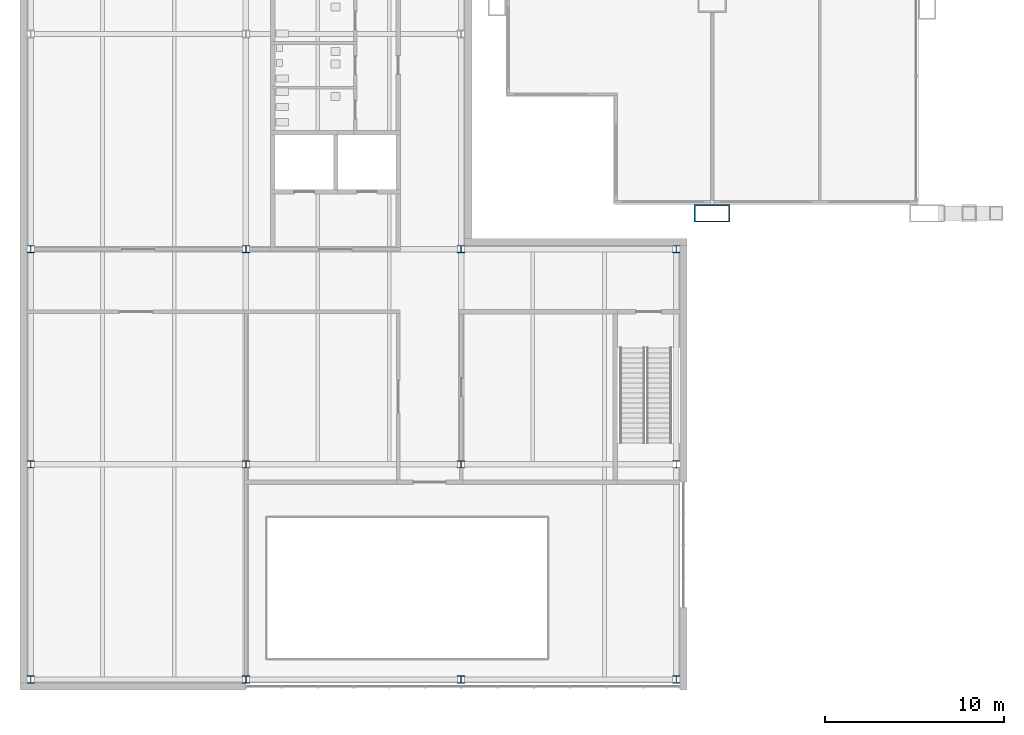
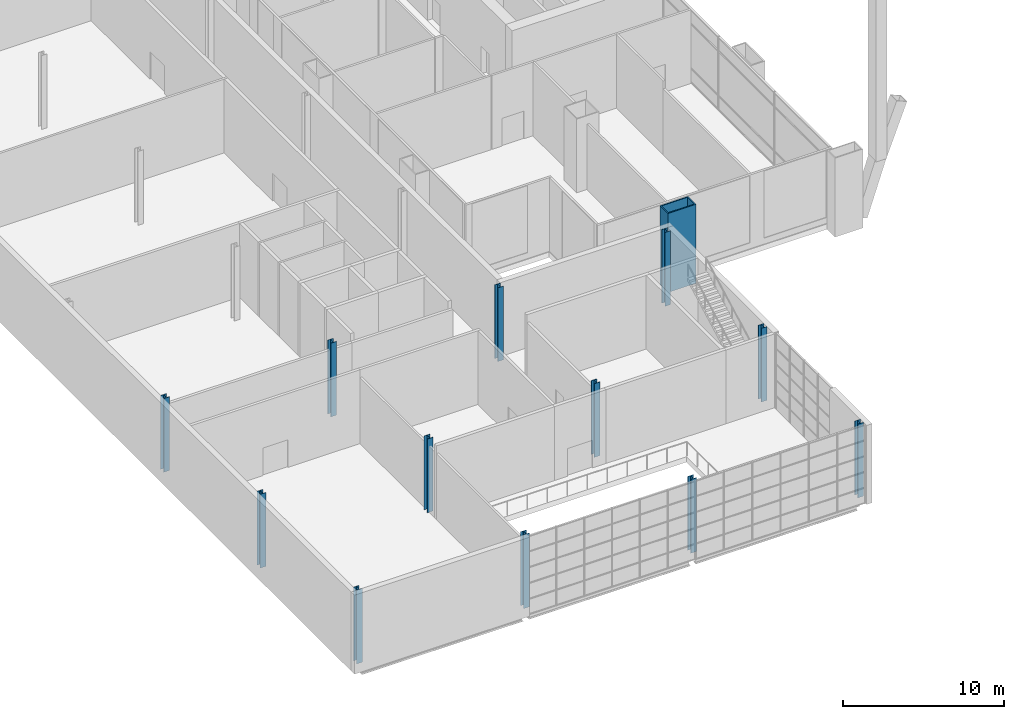
# One storey, part 1 of 30: 13 columns.
"""IFC4 building model written with IfcOpenShell, lengths in metres."""

from ifc_helpers import new_model, si_unit, direction, frame, origin, origin_2d, place, context, subcontext, project, spatial, hollow_rectangle, i_section, extrude, material, material_profile, profile_set, type_object, element, save


model = new_model("IFC4")

# Units and contexts
model_context = context("Model", 3, precision=1e-05, world=origin(), true_north=direction((0.0, 1.0)))
body_context = subcontext(model_context, "Body", "Model", "MODEL_VIEW")
ifc_project = project(units=[si_unit("LENGTHUNIT", "METRE"), si_unit("AREAUNIT", "SQUARE_METRE"), si_unit("VOLUMEUNIT", "CUBIC_METRE"), si_unit("PLANEANGLEUNIT", "RADIAN"), si_unit("MASSUNIT", "GRAM", prefix="KILO")], contexts=[model_context])

# Site, building, storey
site_placement = place(None, origin())
site = spatial("IfcSite", under=ifc_project, at=site_placement, CompositionType="ELEMENT")
building_placement = place(site_placement, origin())
building = spatial("IfcBuilding", under=site, at=building_placement, Name="Kitamizu Gate Tower and Museum", CompositionType="ELEMENT")
storey_placement = place(building_placement, frame((0.0, 0.0, 6.0)))
storey = spatial("IfcBuildingStorey", under=building, at=storey_placement, Name="L01", CompositionType="ELEMENT", Elevation=6.0)

# Columns
ifc_material_1 = material(Name="Steel SS400", Category="steel")
ifc_material_profile_1 = material_profile(ifc_material_1, i_section(OverallWidth=0.39990234375, OverallDepth=0.39990234375, WebThickness=0.012939453125, FlangeThickness=0.02099609375, FilletRadius=0.02197265625, at=origin_2d()), Name="H-400x400x13x21")
ifc_profile_set_1 = profile_set([ifc_material_profile_1], Name="Steel SS400")
column_type_1 = type_object("IfcColumnType", Name="Museum column H 400x400x13x21", PredefinedType="COLUMN", material=ifc_profile_set_1)
for number, where, z_axis, x_axis, name in (
    (1, (-14.0, -14.0, 0.0), (0.0, 0.0, 1.0), (1.0, 0.0, 0.0), "Column M2MB"),
    (2, (-14.0, -2.0, 0.0), (0.0, 0.0, 1.0), (1.0, 0.0, 0.0), "Column M2MC"),
    (3, (-2.0, -14.0, 0.0), (0.0, 0.0, 1.0), (1.0, 0.0, 0.0), "Column M3MB"),
):
    element("IfcColumn", number, at=place(storey_placement, frame(where, z_axis=z_axis, x_axis=x_axis)), inside=storey, type_object=column_type_1, Name=name, PredefinedType="COLUMN", context=body_context, shape_type="SweptSolid", body=[
        extrude(i_section(OverallWidth=0.39990234375, OverallDepth=0.39990234375, WebThickness=0.012939453125, FlangeThickness=0.02099609375, FilletRadius=0.02197265625, at=origin_2d()), origin(), (0.0, 0.0, 1.0), 5.60009765625),
    ])
ifc_material_2 = material(Name="Steel SS400", Category="steel")
ifc_material_profile_2 = material_profile(ifc_material_2, i_section(OverallWidth=0.39990234375, OverallDepth=0.39990234375, WebThickness=0.012939453125, FlangeThickness=0.02099609375, FilletRadius=0.02197265625, at=origin_2d()), Name="H-400x400x13x21")
ifc_profile_set_2 = profile_set([ifc_material_profile_2], Name="Steel SS400")
column_type_2 = type_object("IfcColumnType", Name="Museum perimeter column H 400x400x13x21", PredefinedType="COLUMN", material=ifc_profile_set_2)
for number, where, z_axis, x_axis, name in (
    (4, (-26.0, -26.0, 0.0), (0.0, 0.0, 1.0), (1.0, 0.0, 0.0), "Column M1MA"),
    (5, (-26.0, -14.0, 0.0), (0.0, 0.0, 1.0), (1.0, 0.0, 0.0), "Column M1MB"),
    (6, (-26.0, -2.0, 0.0), (0.0, 0.0, 1.0), (1.0, 0.0, 0.0), "Column M1MC"),
    (7, (-14.0, -26.0, 0.0), (0.0, 0.0, 1.0), (1.0, 0.0, 0.0), "Column M2MA"),
    (8, (-2.0, -26.0, 0.0), (0.0, 0.0, 1.0), (1.0, 0.0, 0.0), "Column M3MA"),
    (9, (-2.0, -2.0, 0.0), (0.0, 0.0, 1.0), (1.0, 0.0, 0.0), "Column M3MC"),
    (10, (10.0, -26.0, 0.0), (0.0, 0.0, 1.0), (1.0, 0.0, 0.0), "Column M4MA"),
    (11, (10.0, -14.0, 0.0), (0.0, 0.0, 1.0), (1.0, 0.0, 0.0), "Column M4MB"),
    (12, (10.0, -2.0, 0.0), (0.0, 0.0, 1.0), (1.0, 0.0, 0.0), "Column M4MC"),
):
    element("IfcColumn", number, at=place(storey_placement, frame(where, z_axis=z_axis, x_axis=x_axis)), inside=storey, type_object=column_type_2, Name=name, PredefinedType="COLUMN", context=body_context, shape_type="SweptSolid", body=[
        extrude(i_section(OverallWidth=0.39990234375, OverallDepth=0.39990234375, WebThickness=0.012939453125, FlangeThickness=0.02099609375, FilletRadius=0.02197265625, at=origin_2d()), origin(), (0.0, 0.0, 1.0), 5.60009765625),
    ])
ifc_material_3 = material(Name="Steel SM490A bronze coated", Category="steel")
ifc_material_profile_3 = material_profile(ifc_material_3, hollow_rectangle(XDim=2.0, YDim=1.0, WallThickness=0.080078125, at=origin_2d()), Name="BOX 2000x1000x80")
ifc_profile_set_3 = profile_set([ifc_material_profile_3], Name="Steel SM490A bronze coated")
column_type_3 = type_object("IfcColumnType", Name="Podium leg column LC1 BOX 2000x1000x80", PredefinedType="COLUMN", material=ifc_profile_set_3)
column_placement = place(storey_placement, frame((12.0, 0.0, -0.39990234375), z_axis=(0.0, 0.0, 1.0), x_axis=(1.0, 0.0, 0.0)))
element("IfcColumn", 13, at=column_placement, inside=storey, type_object=column_type_3, Name="Column LC1 2A L01", PredefinedType="COLUMN", context=body_context, shape_type="SweptSolid", body=[
    extrude(hollow_rectangle(XDim=2.0, YDim=1.0, WallThickness=0.080078125, at=origin_2d()), origin(), (0.0, 0.0, 1.0), 6.0),
])

save(model, "model.ifc")
